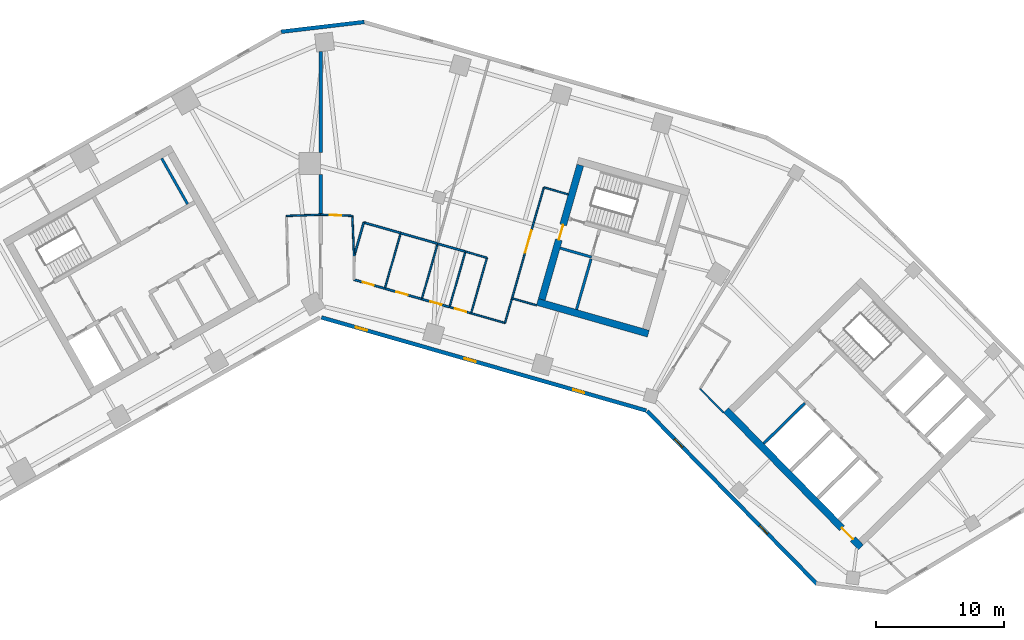
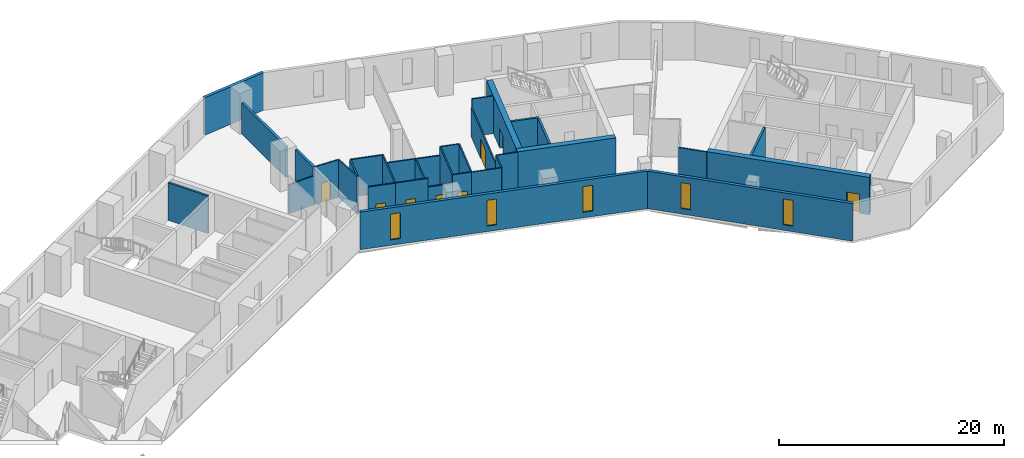
# One storey, part 5 of 10: 34 walls, 8 doors, 5 windows, 13 openings.
"""IFC4 building model written with IfcOpenShell, lengths in metres."""

from ifc_helpers import new_model, si_unit, direction, frame, frame_2d, origin, place, context, subcontext, project, spatial, rectangle, extrude, material, layer, layer_set, type_object, element, fill, save


model = new_model("IFC4")

# Units and contexts
model_context = context("Model", 3, precision=1e-05, world=origin(), true_north=direction((0.0, 1.0)))
body_context = subcontext(model_context, "Body", "Model", "MODEL_VIEW")
ifc_project = project(units=[si_unit("LENGTHUNIT", "METRE"), si_unit("AREAUNIT", "SQUARE_METRE"), si_unit("VOLUMEUNIT", "CUBIC_METRE"), si_unit("PLANEANGLEUNIT", "RADIAN"), si_unit("MASSUNIT", "GRAM", prefix="KILO")], contexts=[model_context])

# Site, building, storey
site_placement = place(None, origin())
site = spatial("IfcSite", under=ifc_project, at=site_placement, CompositionType="ELEMENT")
building_placement = place(site_placement, origin())
building = spatial("IfcBuilding", under=site, at=building_placement, Name="Binnacle Exchange Tower", CompositionType="ELEMENT")
storey_placement = place(building_placement, frame((0.0, 0.0, 136.699951171875)))
storey = spatial("IfcBuildingStorey", under=building, at=storey_placement, Name="L28", CompositionType="ELEMENT", Elevation=136.699951171875)

# Wall, opening, door
ifc_material_1 = material(Name="Concrete C70/85", Category="concrete")
ifc_layer_1 = layer(ifc_material_1, 0.550048828125)
ifc_layer_set_1 = layer_set([ifc_layer_1], Name="Core wall - outer 550")
wall_type_1 = type_object("IfcWallType", Name="Core wall - outer 550", PredefinedType="SOLIDWALL", material=ifc_layer_set_1)
wall_1_placement = place(storey_placement, frame((31.627685546875, 40.7451171875, 0.0), z_axis=(0.0, 0.0, 1.0), x_axis=(0.700911255944, -0.713248491965, 0.0)))
wall_1 = element("IfcWall", 1, at=wall_1_placement, inside=storey, type_object=wall_type_1, Name="Core wall CRWB1", PredefinedType="SOLIDWALL", context=body_context, shape_type="SweptSolid", body=[
    extrude(rectangle(XDim=15.0, YDim=0.550048828125, at=frame_2d((7.5, 0.0))), origin(), (0.0, 0.0, 1.0), 4.080078125),
])
opening_1_placement = place(wall_1_placement, frame((12.89990234375, 0.0, 0.0)))
opening_1 = element("IfcOpeningElement", 2, at=opening_1_placement, cuts=wall_1, Name="Opening DB7", PredefinedType="OPENING", context=body_context, shape_type="SweptSolid", body=[
    extrude(rectangle(XDim=1.199951171875, YDim=2.10009765625, at=frame_2d((0.60009765625, 1.050048828125))), frame((0.0, 0.284912109375, 0.0), z_axis=(0.0, -1.0, 0.0), x_axis=(1.0, 0.0, 0.0)), (0.0, 0.0, 1.0), 0.570068359375),
])
ifc_material_2 = material(Name="Steel door leaf", Category="steel")
door_type_1 = type_object("IfcDoorType", Name="Fire door 1200", OperationType="NOTDEFINED", PredefinedType="DOOR", material=ifc_material_2)
door_1_placement = place(opening_1_placement, frame((1.199951171875, 0.0, 0.0), z_axis=(0.0, 0.0, 1.0), x_axis=(-1.0, 0.0, 0.0)))
door_1 = element("IfcDoor", 3, at=door_1_placement, inside=storey, type_object=door_type_1, Name="Lift lobby entrance door core B", OperationType="SINGLE_SWING_LEFT", OverallHeight=2.10009765625, OverallWidth=1.199951171875, PredefinedType="DOOR", context=body_context, shape_type="SweptSolid", body=[
    extrude(rectangle(XDim=1.199951171875, YDim=2.10009765625, at=frame_2d((0.60009765625, 1.050048828125))), frame((0.0, 0.02490234375, 0.0), z_axis=(0.0, -1.0, 0.0), x_axis=(1.0, 0.0, 0.0)), (0.0, 0.0, 1.0), 0.050048828125),
])
fill(opening_1, door_1)

# Wall
wall_2_placement = place(storey_placement, frame((16.90380859375, 49.197265625, 0.0), z_axis=(0.0, 0.0, 1.0), x_axis=(0.96126248289, -0.275634611374, 0.0)))
element("IfcWall", 4, at=wall_2_placement, inside=storey, type_object=wall_type_1, Name="Core wall CRWD1", PredefinedType="SOLIDWALL", context=body_context, shape_type="SweptSolid", body=[
    extrude(rectangle(XDim=9.0, YDim=0.550048828125, at=frame_2d((4.5, 0.0))), origin(), (0.0, 0.0, 1.0), 4.080078125),
])

# Wall, opening, door
wall_3_placement = place(storey_placement, frame((17.243896484375, 49.3857421875, 0.0), z_axis=(0.0, 0.0, 1.0), x_axis=(0.275632146085, 0.96126318979, 0.0)))
wall_3 = element("IfcWall", 5, at=wall_3_placement, inside=storey, type_object=wall_type_1, Name="Core wall CRWD7", PredefinedType="SOLIDWALL", context=body_context, shape_type="SweptSolid", body=[
    extrude(rectangle(XDim=10.89990234375, YDim=0.550048828125, at=frame_2d((5.449951171875, 0.0))), origin(), (0.0, 0.0, 1.0), 4.080078125),
])
opening_2_placement = place(wall_3_placement, frame((4.85009765625, 0.0, 0.0)))
opening_2 = element("IfcOpeningElement", 6, at=opening_2_placement, cuts=wall_3, Name="Opening DD5", PredefinedType="OPENING", context=body_context, shape_type="SweptSolid", body=[
    extrude(rectangle(XDim=1.199951171875, YDim=2.10009765625, at=frame_2d((0.60009765625, 1.050048828125))), frame((0.0, 0.284912109375, 0.0), z_axis=(0.0, -1.0, 0.0), x_axis=(1.0, 0.0, 0.0)), (0.0, 0.0, 1.0), 0.570068359375),
])
door_2_placement = place(opening_2_placement, origin())
door_2 = element("IfcDoor", 7, at=door_2_placement, inside=storey, type_object=door_type_1, Name="Vestibule exit door VEST-W", OperationType="SINGLE_SWING_RIGHT", OverallHeight=2.10009765625, OverallWidth=1.199951171875, PredefinedType="DOOR", context=body_context, shape_type="SweptSolid", body=[
    extrude(rectangle(XDim=1.199951171875, YDim=2.10009765625, at=frame_2d((0.60009765625, 1.050048828125))), frame((0.0, 0.02490234375, 0.0), z_axis=(0.0, -1.0, 0.0), x_axis=(1.0, 0.0, 0.0)), (0.0, 0.0, 1.0), 0.050048828125),
])
fill(opening_2, door_2)

# Wall
ifc_material_3 = material(Name="Bronze aluminium cladding", Category="aluminium")
ifc_layer_2 = layer(ifc_material_3, 0.300048828125)
ifc_layer_set_2 = layer_set([ifc_layer_2], Name="External wall - spandrel 300")
wall_type_2 = type_object("IfcWallType", Name="External wall - spandrel 300", PredefinedType="STANDARD", material=ifc_layer_set_2)
wall_4_placement = place(storey_placement, frame((-3.076171875, 70.27294921875, 0.0), z_axis=(0.0, 0.0, 1.0), x_axis=(0.993067743007, 0.117543429416, 0.0)))
element("IfcWall", 8, at=wall_4_placement, inside=storey, type_object=wall_type_2, Name="External wall EW-F02 L28", PredefinedType="STANDARD", context=body_context, shape_type="SweptSolid", body=[
    extrude(rectangle(XDim=6.515625, YDim=0.300048828125, at=frame_2d((3.2578125, 0.0))), origin(), (0.0, 0.0, 1.0), 4.080078125),
])

# Wall, openings, windows
wall_5_placement = place(storey_placement, frame((25.398193359375, 40.71728515625, 0.0), z_axis=(0.0, 0.0, 1.0), x_axis=(-0.961262423262, 0.275634819324, 0.0)))
wall_5 = element("IfcWall", 9, at=wall_5_placement, inside=storey, type_object=wall_type_2, Name="External wall EW-F08 L28", PredefinedType="STANDARD", context=body_context, shape_type="SweptSolid", body=[
    extrude(rectangle(XDim=26.358642578125, YDim=0.300048828125, at=frame_2d((13.17919921875, 0.0))), origin(), (0.0, 0.0, 1.0), 4.080078125),
])
opening_3_placement = place(wall_5_placement, frame((22.6640625, 0.0, 0.60009765625)))
opening_3 = element("IfcOpeningElement", 10, at=opening_3_placement, cuts=wall_5, Name="Opening WS2", PredefinedType="OPENING", context=body_context, shape_type="SweptSolid", body=[
    extrude(rectangle(XDim=0.89990234375, YDim=2.800048828125, at=frame_2d((0.449951171875, 1.39990234375))), frame((0.0, 0.159912109375, 0.0), z_axis=(0.0, -1.0, 0.0), x_axis=(1.0, 0.0, 0.0)), (0.0, 0.0, 1.0), 0.320068359375),
])
opening_4_placement = place(wall_5_placement, frame((13.843505859375, 0.0, 0.60009765625)))
opening_4 = element("IfcOpeningElement", 11, at=opening_4_placement, cuts=wall_5, Name="Opening WS2", PredefinedType="OPENING", context=body_context, shape_type="SweptSolid", body=[
    extrude(rectangle(XDim=0.89990234375, YDim=2.800048828125, at=frame_2d((0.449951171875, 1.39990234375))), frame((0.0, 0.159912109375, 0.0), z_axis=(0.0, -1.0, 0.0), x_axis=(1.0, 0.0, 0.0)), (0.0, 0.0, 1.0), 0.320068359375),
])
opening_5_placement = place(wall_5_placement, frame((5.023193359375, 0.0, 0.60009765625)))
opening_5 = element("IfcOpeningElement", 12, at=opening_5_placement, cuts=wall_5, Name="Opening WS2", PredefinedType="OPENING", context=body_context, shape_type="SweptSolid", body=[
    extrude(rectangle(XDim=0.89990234375, YDim=2.800048828125, at=frame_2d((0.449951171875, 1.39990234375))), frame((0.0, 0.159912109375, 0.0), z_axis=(0.0, -1.0, 0.0), x_axis=(1.0, 0.0, 0.0)), (0.0, 0.0, 1.0), 0.320068359375),
])
ifc_material_4 = material(Name="Bronze anodised aluminium frame", Category="aluminium")
window_type = type_object("IfcWindowType", Name="WS2 WINDOW 900x2800", PartitioningType="SINGLE_PANEL", PredefinedType="WINDOW", material=ifc_material_4)
window_1_placement = place(opening_3_placement, origin())
window_1 = element("IfcWindow", 13, at=window_1_placement, inside=storey, type_object=window_type, Name="Window WS2 L28", OverallHeight=2.800048828125, OverallWidth=0.89990234375, PartitioningType="SINGLE_PANEL", PredefinedType="WINDOW", context=body_context, shape_type="SweptSolid", body=[
    extrude(rectangle(XDim=0.89990234375, YDim=2.800048828125, at=frame_2d((0.449951171875, 1.39990234375))), frame((0.0, 0.030029296875, 0.0), z_axis=(0.0, -1.0, 0.0), x_axis=(1.0, 0.0, 0.0)), (0.0, 0.0, 1.0), 0.06005859375),
])
fill(opening_3, window_1)
window_2_placement = place(opening_4_placement, origin())
window_2 = element("IfcWindow", 14, at=window_2_placement, inside=storey, type_object=window_type, Name="Window WS2 L28", OverallHeight=2.800048828125, OverallWidth=0.89990234375, PartitioningType="SINGLE_PANEL", PredefinedType="WINDOW", context=body_context, shape_type="SweptSolid", body=[
    extrude(rectangle(XDim=0.89990234375, YDim=2.800048828125, at=frame_2d((0.449951171875, 1.39990234375))), frame((0.0, 0.030029296875, 0.0), z_axis=(0.0, -1.0, 0.0), x_axis=(1.0, 0.0, 0.0)), (0.0, 0.0, 1.0), 0.06005859375),
])
fill(opening_4, window_2)
window_3_placement = place(opening_5_placement, origin())
window_3 = element("IfcWindow", 15, at=window_3_placement, inside=storey, type_object=window_type, Name="Window WS2 L28", OverallHeight=2.800048828125, OverallWidth=0.89990234375, PartitioningType="SINGLE_PANEL", PredefinedType="WINDOW", context=body_context, shape_type="SweptSolid", body=[
    extrude(rectangle(XDim=0.89990234375, YDim=2.800048828125, at=frame_2d((0.449951171875, 1.39990234375))), frame((0.0, 0.030029296875, 0.0), z_axis=(0.0, -1.0, 0.0), x_axis=(1.0, 0.0, 0.0)), (0.0, 0.0, 1.0), 0.06005859375),
])
fill(opening_5, window_3)

wall_6_placement = place(storey_placement, frame((38.727294921875, 27.18115234375, 0.0), z_axis=(0.0, 0.0, 1.0), x_axis=(-0.700906405975, 0.713253258011, 0.0)))
wall_6 = element("IfcWall", 16, at=wall_6_placement, inside=storey, type_object=wall_type_2, Name="External wall EW-F09 L28", PredefinedType="STANDARD", context=body_context, shape_type="SweptSolid", body=[
    extrude(rectangle(XDim=18.92333984375, YDim=0.300048828125, at=frame_2d((9.461669921875, 0.0))), origin(), (0.0, 0.0, 1.0), 4.080078125),
])
opening_6_placement = place(wall_6_placement, frame((14.967041015625, 0.0, 0.60009765625)))
opening_6 = element("IfcOpeningElement", 17, at=opening_6_placement, cuts=wall_6, Name="Opening WS2", PredefinedType="OPENING", context=body_context, shape_type="SweptSolid", body=[
    extrude(rectangle(XDim=0.89990234375, YDim=2.800048828125, at=frame_2d((0.449951171875, 1.39990234375))), frame((0.0, 0.159912109375, 0.0), z_axis=(0.0, -1.0, 0.0), x_axis=(1.0, 0.0, 0.0)), (0.0, 0.0, 1.0), 0.320068359375),
])
opening_7_placement = place(wall_6_placement, frame((5.51171875, 0.0, 0.60009765625)))
opening_7 = element("IfcOpeningElement", 18, at=opening_7_placement, cuts=wall_6, Name="Opening WS2", PredefinedType="OPENING", context=body_context, shape_type="SweptSolid", body=[
    extrude(rectangle(XDim=0.89990234375, YDim=2.800048828125, at=frame_2d((0.449951171875, 1.39990234375))), frame((0.0, 0.159912109375, 0.0), z_axis=(0.0, -1.0, 0.0), x_axis=(1.0, 0.0, 0.0)), (0.0, 0.0, 1.0), 0.320068359375),
])
window_4_placement = place(opening_6_placement, origin())
window_4 = element("IfcWindow", 19, at=window_4_placement, inside=storey, type_object=window_type, Name="Window WS2 L28", OverallHeight=2.800048828125, OverallWidth=0.89990234375, PartitioningType="SINGLE_PANEL", PredefinedType="WINDOW", context=body_context, shape_type="SweptSolid", body=[
    extrude(rectangle(XDim=0.89990234375, YDim=2.800048828125, at=frame_2d((0.449951171875, 1.39990234375))), frame((0.0, 0.030029296875, 0.0), z_axis=(0.0, -1.0, 0.0), x_axis=(1.0, 0.0, 0.0)), (0.0, 0.0, 1.0), 0.06005859375),
])
fill(opening_6, window_4)
window_5_placement = place(opening_7_placement, origin())
window_5 = element("IfcWindow", 20, at=window_5_placement, inside=storey, type_object=window_type, Name="Window WS2 L28", OverallHeight=2.800048828125, OverallWidth=0.89990234375, PartitioningType="SINGLE_PANEL", PredefinedType="WINDOW", context=body_context, shape_type="SweptSolid", body=[
    extrude(rectangle(XDim=0.89990234375, YDim=2.800048828125, at=frame_2d((0.449951171875, 1.39990234375))), frame((0.0, 0.030029296875, 0.0), z_axis=(0.0, -1.0, 0.0), x_axis=(1.0, 0.0, 0.0)), (0.0, 0.0, 1.0), 0.06005859375),
])
fill(opening_7, window_5)

# Walls
ifc_material_5 = material(Name="Concrete fire wall C30/37", Category="concrete")
ifc_layer_3 = layer(ifc_material_5, 0.25)
ifc_layer_set_3 = layer_set([ifc_layer_3], Name="Fire wall - compartment 250")
wall_type_3 = type_object("IfcWallType", Name="Fire wall - compartment 250", PredefinedType="PARTITIONING", material=ifc_layer_set_3)
wall_7_placement = place(storey_placement, frame((0.0, 56.0, 0.0), z_axis=(0.0, 0.0, 1.0), x_axis=(0.0, 1.0, 0.0)))
element("IfcWall", 21, at=wall_7_placement, inside=storey, type_object=wall_type_3, Name="Fire Wall W09", PredefinedType="PARTITIONING", context=body_context, shape_type="SweptSolid", body=[
    extrude(rectangle(XDim=3.14990234375, YDim=0.25, at=frame_2d((1.574951171875, 0.0))), origin(), (0.0, 0.0, 1.0), 4.080078125),
])
wall_8_placement = place(storey_placement, frame((0.0, 60.85009765625, 0.0), z_axis=(0.0, 0.0, 1.0), x_axis=(0.0, 1.0, 0.0)))
element("IfcWall", 22, at=wall_8_placement, inside=storey, type_object=wall_type_3, Name="Fire Wall W11", PredefinedType="PARTITIONING", context=body_context, shape_type="SweptSolid", body=[
    extrude(rectangle(XDim=7.8740234375, YDim=0.25, at=frame_2d((3.93701171875, 0.0))), origin(), (0.0, 0.0, 1.0), 3.35205078125),
])

# Wall, opening, door
ifc_material_6 = material(Name="Gypsum partition fire rated")
ifc_layer_4 = layer(ifc_material_6, 0.14990234375)
ifc_layer_set_4 = layer_set([ifc_layer_4], Name="Fire-rated partition 150")
wall_type_4 = type_object("IfcWallType", Name="Fire-rated partition 150", PredefinedType="PARTITIONING", material=ifc_layer_set_4)
wall_9_placement = place(storey_placement, frame((2.60107421875, 50.931884765625, 0.0), z_axis=(0.0, 0.0, 1.0), x_axis=(0.961265528111, -0.275623991092, 0.0)))
wall_9 = element("IfcWall", 23, at=wall_9_placement, inside=storey, type_object=wall_type_4, Name="Partition W14", PredefinedType="PARTITIONING", context=body_context, shape_type="SweptSolid", body=[
    extrude(rectangle(XDim=2.499755859375, YDim=0.14990234375, at=frame_2d((1.25, 0.0))), origin(), (0.0, 0.0, 1.0), 4.080078125),
])
opening_8_placement = place(wall_9_placement, frame((0.699951171875, 0.0, 0.0)))
opening_8 = element("IfcOpeningElement", 24, at=opening_8_placement, cuts=wall_9, Name="Opening DL28-03", PredefinedType="OPENING", context=body_context, shape_type="SweptSolid", body=[
    extrude(rectangle(XDim=0.89990234375, YDim=2.10009765625, at=frame_2d((0.449951171875, 1.050048828125))), frame((0.0, 0.0849609375, 0.0), z_axis=(0.0, -1.0, 0.0), x_axis=(1.0, 0.0, 0.0)), (0.0, 0.0, 1.0), 0.169921875),
])
door_type_2 = type_object("IfcDoorType", Name="Fire door 900", OperationType="NOTDEFINED", PredefinedType="DOOR", material=ifc_material_2)
door_3_placement = place(opening_8_placement, origin())
door_3 = element("IfcDoor", 25, at=door_3_placement, inside=storey, type_object=door_type_2, Name="Door DL28-03", OperationType="SINGLE_SWING_LEFT", OverallHeight=2.10009765625, OverallWidth=0.89990234375, PredefinedType="DOOR", context=body_context, shape_type="SweptSolid", body=[
    extrude(rectangle(XDim=0.89990234375, YDim=2.10009765625, at=frame_2d((0.449951171875, 1.050048828125))), frame((0.0, 0.02490234375, 0.0), z_axis=(0.0, -1.0, 0.0), x_axis=(1.0, 0.0, 0.0)), (0.0, 0.0, 1.0), 0.050048828125),
])
fill(opening_8, door_3)

# Walls
wall_10_placement = place(storey_placement, frame((2.60302734375, 52.751953125, 0.0), z_axis=(0.0, 0.0, 1.0), x_axis=(0.27569433145, 0.961245356611, 0.0)))
element("IfcWall", 26, at=wall_10_placement, inside=storey, type_object=wall_type_4, Name="Partition W15", PredefinedType="PARTITIONING", context=body_context, shape_type="SweptSolid", body=[
    extrude(rectangle(XDim=2.74951171875, YDim=0.14990234375, at=frame_2d((1.374755859375, 0.0))), origin(), (0.0, 0.0, 1.0), 4.080078125),
])
wall_11_placement = place(storey_placement, frame((3.361083984375, 55.39501953125, 0.0), z_axis=(0.0, 0.0, 1.0), x_axis=(0.961268664977, -0.27561305073, 0.0)))
element("IfcWall", 27, at=wall_11_placement, inside=storey, type_object=wall_type_4, Name="Partition W16", PredefinedType="PARTITIONING", context=body_context, shape_type="SweptSolid", body=[
    extrude(rectangle(XDim=3.000244140625, YDim=0.14990234375, at=frame_2d((1.5, 0.0))), origin(), (0.0, 0.0, 1.0), 4.080078125),
])

# Wall, opening, door
wall_12_placement = place(storey_placement, frame((5.00390625, 50.242919921875, 0.0), z_axis=(0.0, 0.0, 1.0), x_axis=(0.961268664977, -0.27561305073, 0.0)))
wall_12 = element("IfcWall", 28, at=wall_12_placement, inside=storey, type_object=wall_type_4, Name="Partition W18", PredefinedType="PARTITIONING", context=body_context, shape_type="SweptSolid", body=[
    extrude(rectangle(XDim=3.000244140625, YDim=0.14990234375, at=frame_2d((1.5, 0.0))), origin(), (0.0, 0.0, 1.0), 4.080078125),
])
opening_9_placement = place(wall_12_placement, frame((0.949951171875, 0.0, 0.0)))
opening_9 = element("IfcOpeningElement", 29, at=opening_9_placement, cuts=wall_12, Name="Opening DL28-04", PredefinedType="OPENING", context=body_context, shape_type="SweptSolid", body=[
    extrude(rectangle(XDim=0.89990234375, YDim=2.10009765625, at=frame_2d((0.449951171875, 1.050048828125))), frame((0.0, 0.0849609375, 0.0), z_axis=(0.0, -1.0, 0.0), x_axis=(1.0, 0.0, 0.0)), (0.0, 0.0, 1.0), 0.169921875),
])
door_4_placement = place(opening_9_placement, origin())
door_4 = element("IfcDoor", 30, at=door_4_placement, inside=storey, type_object=door_type_2, Name="Door DL28-04", OperationType="SINGLE_SWING_LEFT", OverallHeight=2.10009765625, OverallWidth=0.89990234375, PredefinedType="DOOR", context=body_context, shape_type="SweptSolid", body=[
    extrude(rectangle(XDim=0.89990234375, YDim=2.10009765625, at=frame_2d((0.449951171875, 1.050048828125))), frame((0.0, 0.02490234375, 0.0), z_axis=(0.0, -1.0, 0.0), x_axis=(1.0, 0.0, 0.0)), (0.0, 0.0, 1.0), 0.050048828125),
])
fill(opening_9, door_4)

# Wall
wall_13_placement = place(storey_placement, frame((6.2451171875, 54.568115234375, 0.0), z_axis=(0.0, 0.0, 1.0), x_axis=(0.961240918172, -0.275709806194, 0.0)))
element("IfcWall", 31, at=wall_13_placement, inside=storey, type_object=wall_type_4, Name="Partition W19", PredefinedType="PARTITIONING", context=body_context, shape_type="SweptSolid", body=[
    extrude(rectangle(XDim=3.0, YDim=0.14990234375, at=frame_2d((1.5, 0.0))), origin(), (0.0, 0.0, 1.0), 3.16015625),
])

# Wall, opening, door
wall_14_placement = place(storey_placement, frame((7.887939453125, 49.416015625, 0.0), z_axis=(0.0, 0.0, 1.0), x_axis=(0.9611628742, -0.275981755301, 0.0)))
wall_14 = element("IfcWall", 32, at=wall_14_placement, inside=storey, type_object=wall_type_4, Name="Partition W21", PredefinedType="PARTITIONING", context=body_context, shape_type="SweptSolid", body=[
    extrude(rectangle(XDim=2.25048828125, YDim=0.14990234375, at=frame_2d((1.125244140625, 0.0))), origin(), (0.0, 0.0, 1.0), 3.14208984375),
])
opening_10_placement = place(wall_14_placement, frame((0.699951171875, 0.0, 0.0)))
opening_10 = element("IfcOpeningElement", 33, at=opening_10_placement, cuts=wall_14, Name="Opening DL28-05", PredefinedType="OPENING", context=body_context, shape_type="SweptSolid", body=[
    extrude(rectangle(XDim=0.89990234375, YDim=2.10009765625, at=frame_2d((0.449951171875, 1.050048828125))), frame((0.0, 0.0849609375, 0.0), z_axis=(0.0, -1.0, 0.0), x_axis=(1.0, 0.0, 0.0)), (0.0, 0.0, 1.0), 0.169921875),
])
door_5_placement = place(opening_10_placement, origin())
door_5 = element("IfcDoor", 34, at=door_5_placement, inside=storey, type_object=door_type_2, Name="Door DL28-05", OperationType="SINGLE_SWING_RIGHT", OverallHeight=2.10009765625, OverallWidth=0.89990234375, PredefinedType="DOOR", context=body_context, shape_type="SweptSolid", body=[
    extrude(rectangle(XDim=0.89990234375, YDim=2.10009765625, at=frame_2d((0.449951171875, 1.050048828125))), frame((0.0, 0.02490234375, 0.0), z_axis=(0.0, -1.0, 0.0), x_axis=(1.0, 0.0, 0.0)), (0.0, 0.0, 1.0), 0.050048828125),
])
fill(opening_10, door_5)

# Walls
wall_15_placement = place(storey_placement, frame((9.12890625, 53.740966796875, 0.0), z_axis=(0.0, 0.0, 1.0), x_axis=(0.961273691875, -0.275595517578, 0.0)))
element("IfcWall", 35, at=wall_15_placement, inside=storey, type_object=wall_type_4, Name="Partition W22", PredefinedType="PARTITIONING", context=body_context, shape_type="SweptSolid", body=[
    extrude(rectangle(XDim=2.249267578125, YDim=0.14990234375, at=frame_2d((1.12451171875, 0.0))), origin(), (0.0, 0.0, 1.0), 3.14208984375),
])
ifc_material_7 = material(Name="Gypsum partition")
ifc_layer_5 = layer(ifc_material_7, 0.125)
ifc_layer_set_5 = layer_set([ifc_layer_5], Name="Partition 125")
wall_type_5 = type_object("IfcWallType", Name="Partition 125", PredefinedType="PARTITIONING", material=ifc_layer_set_5)
wall_16_placement = place(storey_placement, frame((-2.669921875, 55.904052734375, 0.0), z_axis=(0.0, 0.0, 1.0), x_axis=(0.999354913865, 0.03591317494, 0.0)))
element("IfcWall", 36, at=wall_16_placement, inside=storey, type_object=wall_type_5, Name="Partition W07", PredefinedType="PARTITIONING", context=body_context, shape_type="SweptSolid", body=[
    extrude(rectangle(XDim=2.671630859375, YDim=0.125, at=frame_2d((1.3359375, 0.0))), origin(), (0.0, 0.0, 1.0), 3.14208984375),
])

# Wall, opening, door
wall_17_placement = place(storey_placement, frame((0.0, 56.0, 0.0), z_axis=(0.0, 0.0, 1.0), x_axis=(0.999349313684, -0.036068673934, 0.0)))
wall_17 = element("IfcWall", 37, at=wall_17_placement, inside=storey, type_object=wall_type_5, Name="Partition W10", PredefinedType="PARTITIONING", context=body_context, shape_type="SweptSolid", body=[
    extrude(rectangle(XDim=2.470703125, YDim=0.125, at=frame_2d((1.2353515625, 0.0))), origin(), (0.0, 0.0, 1.0), 4.080078125),
])
opening_11_placement = place(wall_17_placement, frame((0.699951171875, 0.0, 0.0)))
opening_11 = element("IfcOpeningElement", 38, at=opening_11_placement, cuts=wall_17, Name="Opening DL28-07", PredefinedType="OPENING", context=body_context, shape_type="SweptSolid", body=[
    extrude(rectangle(XDim=0.89990234375, YDim=2.10009765625, at=frame_2d((0.449951171875, 1.050048828125))), frame((0.0, 0.072509765625, 0.0), z_axis=(0.0, -1.0, 0.0), x_axis=(1.0, 0.0, 0.0)), (0.0, 0.0, 1.0), 0.14501953125),
])
ifc_material_8 = material(Name="Timber door leaf", Category="wood")
door_type_3 = type_object("IfcDoorType", Name="Door 900", OperationType="NOTDEFINED", PredefinedType="DOOR", material=ifc_material_8)
door_6_placement = place(opening_11_placement, origin())
door_6 = element("IfcDoor", 39, at=door_6_placement, inside=storey, type_object=door_type_3, Name="Door DL28-07", OperationType="SINGLE_SWING_LEFT", OverallHeight=2.10009765625, OverallWidth=0.89990234375, PredefinedType="DOOR", context=body_context, shape_type="SweptSolid", body=[
    extrude(rectangle(XDim=0.89990234375, YDim=2.10009765625, at=frame_2d((0.449951171875, 1.050048828125))), frame((0.0, 0.02490234375, 0.0), z_axis=(0.0, -1.0, 0.0), x_axis=(1.0, 0.0, 0.0)), (0.0, 0.0, 1.0), 0.050048828125),
])
fill(opening_11, door_6)

# Walls
wall_18_placement = place(storey_placement, frame((2.468994140625, 55.910888671875, 0.0), z_axis=(0.0, 0.0, 1.0), x_axis=(0.042391721597, -0.99910106693, 0.0)))
element("IfcWall", 40, at=wall_18_placement, inside=storey, type_object=wall_type_5, Name="Partition W12", PredefinedType="PARTITIONING", context=body_context, shape_type="SweptSolid", body=[
    extrude(rectangle(XDim=3.161865234375, YDim=0.125, at=frame_2d((1.5810546875, 0.0))), origin(), (0.0, 0.0, 1.0), 4.080078125),
])
wall_19_placement = place(storey_placement, frame((5.00390625, 50.242919921875, 0.0), z_axis=(0.0, 0.0, 1.0), x_axis=(0.275838825927, 0.961203902464, 0.0)))
element("IfcWall", 41, at=wall_19_placement, inside=storey, type_object=wall_type_5, Name="Partition W17", PredefinedType="PARTITIONING", context=body_context, shape_type="SweptSolid", body=[
    extrude(rectangle(XDim=4.499755859375, YDim=0.125, at=frame_2d((2.25, 0.0))), origin(), (0.0, 0.0, 1.0), 4.080078125),
])
wall_20_placement = place(storey_placement, frame((7.887939453125, 49.416015625, 0.0), z_axis=(0.0, 0.0, 1.0), x_axis=(0.275803080638, 0.96121415965, 0.0)))
element("IfcWall", 42, at=wall_20_placement, inside=storey, type_object=wall_type_5, Name="Partition W20", PredefinedType="PARTITIONING", context=body_context, shape_type="SweptSolid", body=[
    extrude(rectangle(XDim=4.49951171875, YDim=0.125, at=frame_2d((2.249755859375, 0.0))), origin(), (0.0, 0.0, 1.0), 3.16015625),
])
wall_21_placement = place(storey_placement, frame((10.051025390625, 48.794921875, 0.0), z_axis=(0.0, 0.0, 1.0), x_axis=(0.275530671241, 0.961292280841, 0.0)))
element("IfcWall", 43, at=wall_21_placement, inside=storey, type_object=wall_type_5, Name="Partition W24", PredefinedType="PARTITIONING", context=body_context, shape_type="SweptSolid", body=[
    extrude(rectangle(XDim=4.50048828125, YDim=0.125, at=frame_2d((2.250244140625, 0.0))), origin(), (0.0, 0.0, 1.0), 4.080078125),
])

# Wall, opening, door
wall_22_placement = place(storey_placement, frame((10.051025390625, 48.794921875, 0.0), z_axis=(0.0, 0.0, 1.0), x_axis=(0.961313033798, -0.275458256455, 0.0)))
wall_22 = element("IfcWall", 44, at=wall_22_placement, inside=storey, type_object=wall_type_5, Name="Partition W25", PredefinedType="PARTITIONING", context=body_context, shape_type="SweptSolid", body=[
    extrude(rectangle(XDim=1.74951171875, YDim=0.125, at=frame_2d((0.874755859375, 0.0))), origin(), (0.0, 0.0, 1.0), 4.080078125),
])
opening_12_placement = place(wall_22_placement, frame((0.449951171875, 0.0, 0.0)))
opening_12 = element("IfcOpeningElement", 45, at=opening_12_placement, cuts=wall_22, Name="Opening DL28-06", PredefinedType="OPENING", context=body_context, shape_type="SweptSolid", body=[
    extrude(rectangle(XDim=0.89990234375, YDim=2.10009765625, at=frame_2d((0.449951171875, 1.050048828125))), frame((0.0, 0.072509765625, 0.0), z_axis=(0.0, -1.0, 0.0), x_axis=(1.0, 0.0, 0.0)), (0.0, 0.0, 1.0), 0.14501953125),
])
door_7_placement = place(opening_12_placement, origin())
door_7 = element("IfcDoor", 46, at=door_7_placement, inside=storey, type_object=door_type_3, Name="Door DL28-06", OperationType="SINGLE_SWING_RIGHT", OverallHeight=2.10009765625, OverallWidth=0.89990234375, PredefinedType="DOOR", context=body_context, shape_type="SweptSolid", body=[
    extrude(rectangle(XDim=0.89990234375, YDim=2.10009765625, at=frame_2d((0.449951171875, 1.050048828125))), frame((0.0, 0.02490234375, 0.0), z_axis=(0.0, -1.0, 0.0), x_axis=(1.0, 0.0, 0.0)), (0.0, 0.0, 1.0), 0.050048828125),
])
fill(opening_12, door_7)

# Walls
wall_23_placement = place(storey_placement, frame((11.291015625, 53.12109375, 0.0), z_axis=(0.0, 0.0, 1.0), x_axis=(0.961329010357, -0.275402494264, 0.0)))
element("IfcWall", 47, at=wall_23_placement, inside=storey, type_object=wall_type_5, Name="Partition W26", PredefinedType="PARTITIONING", context=body_context, shape_type="SweptSolid", body=[
    extrude(rectangle(XDim=1.750732421875, YDim=0.125, at=frame_2d((0.87548828125, 0.0))), origin(), (0.0, 0.0, 1.0), 4.080078125),
])
wall_24_placement = place(storey_placement, frame((11.73291015625, 48.31298828125, 0.0), z_axis=(0.0, 0.0, 1.0), x_axis=(0.275795676316, 0.961216284155, 0.0)))
element("IfcWall", 48, at=wall_24_placement, inside=storey, type_object=wall_type_5, Name="Partition W27", PredefinedType="PARTITIONING", context=body_context, shape_type="SweptSolid", body=[
    extrude(rectangle(XDim=4.50048828125, YDim=0.125, at=frame_2d((2.250244140625, 0.0))), origin(), (0.0, 0.0, 1.0), 4.080078125),
])
wall_25_placement = place(storey_placement, frame((11.73291015625, 48.31298828125, 0.0), z_axis=(0.0, 0.0, 1.0), x_axis=(0.961272337704, -0.275600240865, 0.0)))
element("IfcWall", 49, at=wall_25_placement, inside=storey, type_object=wall_type_5, Name="Partition W28", PredefinedType="PARTITIONING", context=body_context, shape_type="SweptSolid", body=[
    extrude(rectangle(XDim=2.75048828125, YDim=0.125, at=frame_2d((1.375244140625, 0.0))), origin(), (0.0, 0.0, 1.0), 4.080078125),
])
wall_26_placement = place(storey_placement, frame((14.376953125, 47.554931640625, 0.0), z_axis=(0.0, 0.0, 1.0), x_axis=(0.275446387355, 0.961316434736, 0.0)))
element("IfcWall", 50, at=wall_26_placement, inside=storey, type_object=wall_type_5, Name="Partition W29", PredefinedType="PARTITIONING", context=body_context, shape_type="SweptSolid", body=[
    extrude(rectangle(XDim=2.00048828125, YDim=0.125, at=frame_2d((1.000244140625, 0.0))), origin(), (0.0, 0.0, 1.0), 4.080078125),
])
wall_27_placement = place(storey_placement, frame((14.927978515625, 49.47802734375, 0.0), z_axis=(0.0, 0.0, 1.0), x_axis=(0.961243778232, -0.27569983462, 0.0)))
element("IfcWall", 51, at=wall_27_placement, inside=storey, type_object=wall_type_5, Name="Partition W30", PredefinedType="PARTITIONING", context=body_context, shape_type="SweptSolid", body=[
    extrude(rectangle(XDim=1.9765625, YDim=0.125, at=frame_2d((0.98828125, 0.0))), origin(), (0.0, 0.0, 1.0), 4.080078125),
])

# Wall, opening, door
wall_28_placement = place(storey_placement, frame((14.927978515625, 49.47802734375, 0.0), z_axis=(0.0, 0.0, 1.0), x_axis=(0.275674053528, 0.961251172281, 0.0)))
wall_28 = element("IfcWall", 52, at=wall_28_placement, inside=storey, type_object=wall_type_5, Name="Partition W31", PredefinedType="PARTITIONING", context=body_context, shape_type="SweptSolid", body=[
    extrude(rectangle(XDim=8.99951171875, YDim=0.125, at=frame_2d((4.499755859375, 0.0))), origin(), (0.0, 0.0, 1.0), 3.14208984375),
])
opening_13_placement = place(wall_28_placement, frame((3.699951171875, 0.0, 0.0)))
opening_13 = element("IfcOpeningElement", 53, at=opening_13_placement, cuts=wall_28, Name="Opening DL28-08", PredefinedType="OPENING", context=body_context, shape_type="SweptSolid", body=[
    extrude(rectangle(XDim=1.800048828125, YDim=2.10009765625, at=frame_2d((0.89990234375, 1.050048828125))), frame((0.0, 0.072509765625, 0.0), z_axis=(0.0, -1.0, 0.0), x_axis=(1.0, 0.0, 0.0)), (0.0, 0.0, 1.0), 0.14501953125),
])
door_type_4 = type_object("IfcDoorType", Name="Double door 1800", OperationType="NOTDEFINED", PredefinedType="DOOR", material=ifc_material_8)
door_8_placement = place(opening_13_placement, origin())
door_8 = element("IfcDoor", 54, at=door_8_placement, inside=storey, type_object=door_type_4, Name="Door DL28-08", OperationType="DOUBLE_DOOR_SINGLE_SWING", OverallHeight=2.10009765625, OverallWidth=1.800048828125, PredefinedType="DOOR", context=body_context, shape_type="SweptSolid", body=[
    extrude(rectangle(XDim=1.800048828125, YDim=2.10009765625, at=frame_2d((0.89990234375, 1.050048828125))), frame((0.0, 0.02490234375, 0.0), z_axis=(0.0, -1.0, 0.0), x_axis=(1.0, 0.0, 0.0)), (0.0, 0.0, 1.0), 0.050048828125),
])
fill(opening_13, door_8)

# Walls
wall_29_placement = place(storey_placement, frame((17.408935546875, 58.12890625, 0.0), z_axis=(0.0, 0.0, 1.0), x_axis=(0.961253165474, -0.275667103345, 0.0)))
element("IfcWall", 55, at=wall_29_placement, inside=storey, type_object=wall_type_5, Name="Partition W32", PredefinedType="PARTITIONING", context=body_context, shape_type="SweptSolid", body=[
    extrude(rectangle(XDim=1.976806640625, YDim=0.125, at=frame_2d((0.98828125, 0.0))), origin(), (0.0, 0.0, 1.0), 4.080078125),
])
wall_30_placement = place(storey_placement, frame((29.60009765625, 42.416015625, 0.0), z_axis=(0.0, 0.0, 1.0), x_axis=(0.700914320664, -0.713245480244, 0.0)))
element("IfcWall", 56, at=wall_30_placement, inside=storey, type_object=wall_type_5, Name="Partition W35", PredefinedType="PARTITIONING", context=body_context, shape_type="SweptSolid", body=[
    extrude(rectangle(XDim=2.613525390625, YDim=0.125, at=frame_2d((1.306640625, 0.0))), origin(), (0.0, 0.0, 1.0), 4.080078125),
])
ifc_material_9 = material(Name="Masonry block wall", Category="masonry")
ifc_layer_6 = layer(ifc_material_9, 0.199951171875)
ifc_layer_set_6 = layer_set([ifc_layer_6], Name="Riser wall 200")
wall_type_6 = type_object("IfcWallType", Name="Riser wall 200", PredefinedType="SOLIDWALL", material=ifc_layer_set_6)
wall_31_placement = place(storey_placement, frame((-12.40185546875, 60.39404296875, 0.0), z_axis=(0.0, 0.0, 1.0), x_axis=(0.492453559952, -0.87033872216, 0.0)))
element("IfcWall", 57, at=wall_31_placement, inside=storey, type_object=wall_type_6, Name="Core wall CRWC23", PredefinedType="SOLIDWALL", context=body_context, shape_type="SweptSolid", body=[
    extrude(rectangle(XDim=4.099853515625, YDim=0.199951171875, at=frame_2d((2.0498046875, 0.0))), origin(), (0.0, 0.0, 1.0), 4.080078125),
])
wall_32_placement = place(storey_placement, frame((34.5576171875, 38.15625, 0.0), z_axis=(0.0, 0.0, 1.0), x_axis=(0.713237924006, 0.700922009755, 0.0)))
element("IfcWall", 58, at=wall_32_placement, inside=storey, type_object=wall_type_6, Name="Core wall CRWB9", PredefinedType="SOLIDWALL", context=body_context, shape_type="SweptSolid", body=[
    extrude(rectangle(XDim=4.499755859375, YDim=0.199951171875, at=frame_2d((2.25, 0.0))), origin(), (0.0, 0.0, 1.0), 4.080078125),
])
wall_33_placement = place(storey_placement, frame((18.6796875, 53.3955078125, 0.0), z_axis=(0.0, 0.0, 1.0), x_axis=(0.961234387647, -0.275732573349, 0.0)))
element("IfcWall", 59, at=wall_33_placement, inside=storey, type_object=wall_type_6, Name="Core wall CRWD2", PredefinedType="SOLIDWALL", context=body_context, shape_type="SweptSolid", body=[
    extrude(rectangle(XDim=2.550048828125, YDim=0.199951171875, at=frame_2d((1.27490234375, 0.0))), origin(), (0.0, 0.0, 1.0), 4.080078125),
])
wall_34_placement = place(storey_placement, frame((19.95947265625, 48.607177734375, 0.0), z_axis=(0.0, 0.0, 1.0), x_axis=(0.275641165445, 0.961260603537, 0.0)))
element("IfcWall", 60, at=wall_34_placement, inside=storey, type_object=wall_type_6, Name="Core wall CRWD8", PredefinedType="SOLIDWALL", context=body_context, shape_type="SweptSolid", body=[
    extrude(rectangle(XDim=4.10009765625, YDim=0.199951171875, at=frame_2d((2.050048828125, 0.0))), origin(), (0.0, 0.0, 1.0), 4.080078125),
])

save(model, "model.ifc")
